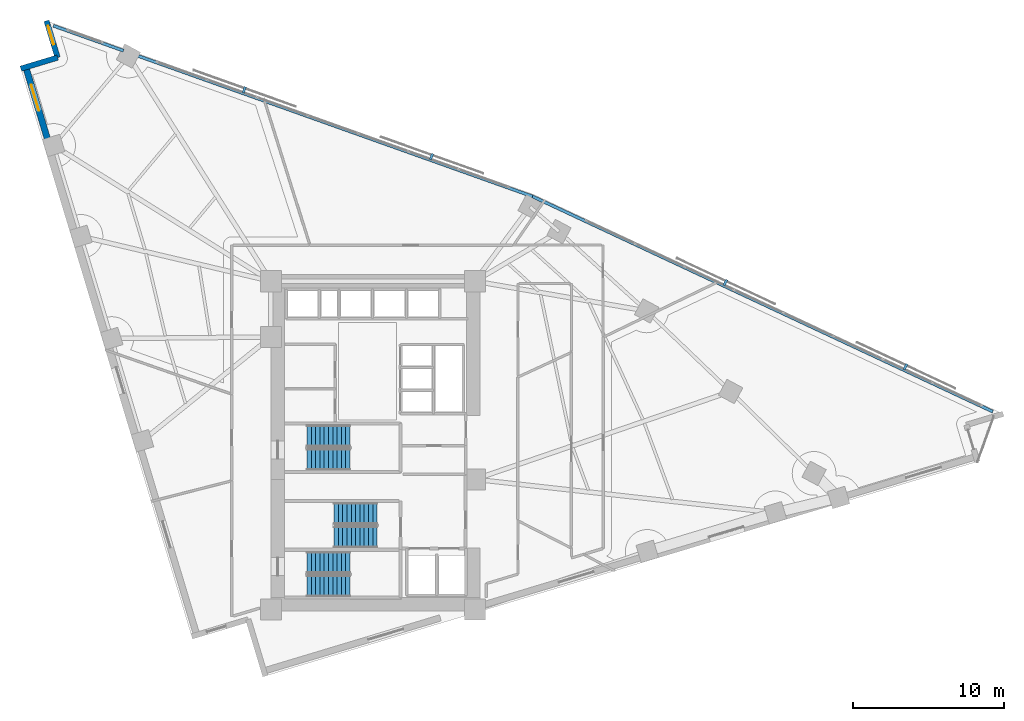
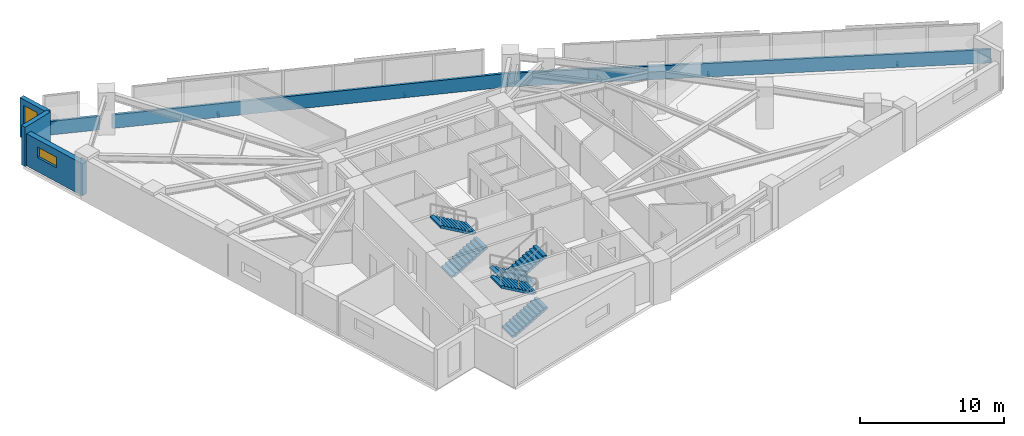
# One storey, part 14 of 16: 6 stair flights, 6 walls, 4 discrete accessories, 2 windows, 2 openings, 3 elements without a shape of their own.
"""IFC4 building model written with IfcOpenShell, lengths in metres."""

import ifcopenshell
import ifcopenshell.guid

model = None  # the IFC model being written
_history = None  # IfcOwnerHistory: only IFC2X3 demands one
_inside = {}  # id of a spatial element -> (the spatial element, [elements in it])
_under = {}  # id of a project, library or spatial element -> (it, [spatial elements below it])
_declared = {}  # id of a project -> (the project, [libraries it declares])
_typed = {}  # id of a type object -> (the type object, [elements of that type])
_made_of = {}  # id of a material, layer set ... -> (it, [elements and type objects made of it])


def new_model(schema):
    """Start an empty IFC model of exactly this schema.

    Asked for "IFC4X3", IfcOpenShell would pick the latest addendum, in which some entities
    have other attributes; the version numbers below select the first issue.
    IFC2X3 requires an IfcOwnerHistory on every rooted entity: one is made here for all.
    """
    global model, _history
    if schema == "IFC4X3":
        model = ifcopenshell.file(schema_version=(4, 3, 0, 0))
    else:
        model = ifcopenshell.file(schema=schema)
    _inside.clear()
    _under.clear()
    _declared.clear()
    _typed.clear()
    _made_of.clear()
    _history = None
    if model.schema == "IFC2X3":
        org = make("IfcOrganization", Name="unknown")
        user = make(
            "IfcPersonAndOrganization",
            ThePerson=make("IfcPerson", FamilyName="unknown"),
            TheOrganization=org,
        )
        app = make(
            "IfcApplication",
            ApplicationDeveloper=org,
            Version="unknown",
            ApplicationFullName="unknown",
            ApplicationIdentifier="unknown",
        )
        _history = make(
            "IfcOwnerHistory",
            OwningUser=user,
            OwningApplication=app,
            ChangeAction="ADDED",
            CreationDate=0,
        )
    return model


def make(cls, **values):
    """One entity of the class cls with the attributes given. An attribute that is None is left unset."""
    return model.create_entity(
        cls, **{name: value for name, value in values.items() if value is not None}
    )


def rooted(cls, **values):
    """An entity with a GlobalId (a new one), such as an element, a storey or a relation."""
    return make(cls, GlobalId=ifcopenshell.guid.new(), OwnerHistory=_history, **values)


def si_unit(unit_type, name, prefix=None):
    """IfcSIUnit, for example si_unit("LENGTHUNIT", "METRE", prefix="MILLI")."""
    return make("IfcSIUnit", UnitType=unit_type, Prefix=prefix, Name=name)


def assignment(units):
    """IfcUnitAssignment: the units of a project."""
    return None if units is None else make("IfcUnitAssignment", Units=units)


def point(xyz):
    """IfcCartesianPoint."""
    return None if xyz is None else make("IfcCartesianPoint", Coordinates=xyz)


def direction(xyz):
    """IfcDirection."""
    return None if xyz is None else make("IfcDirection", DirectionRatios=xyz)


def frame(location, z_axis=None, x_axis=None):
    """IfcAxis2Placement3D, a coordinate frame: its origin and axes. An axis left out is left unset."""
    return make(
        "IfcAxis2Placement3D",
        Location=point(location),
        Axis=direction(z_axis),
        RefDirection=direction(x_axis),
    )


def frame_2d(location, x_axis=None):
    """IfcAxis2Placement2D, a coordinate frame in the plane: its origin and x axis."""
    return make(
        "IfcAxis2Placement2D", Location=point(location), RefDirection=direction(x_axis)
    )


def origin():
    """The frame at (0, 0, 0) with its axes left unset."""
    return frame((0.0, 0.0, 0.0))


def origin_2d():
    """The frame at (0, 0) in the plane with its x axis left unset."""
    return frame_2d((0.0, 0.0))


def place(relative_to, where):
    """IfcLocalPlacement: puts the frame where relative to a parent placement (None: the world)."""
    return make(
        "IfcLocalPlacement", PlacementRelTo=relative_to, RelativePlacement=where
    )


def context(
    kind, dimensions, precision=None, world=None, true_north=None, identifier=None
):
    """IfcGeometricRepresentationContext, for example the 3D "Model" context."""
    return make(
        "IfcGeometricRepresentationContext",
        ContextIdentifier=identifier,
        ContextType=kind,
        CoordinateSpaceDimension=dimensions,
        Precision=precision,
        WorldCoordinateSystem=world,
        TrueNorth=true_north,
    )


def subcontext(parent, identifier, kind, view, scale=None):
    """IfcGeometricRepresentationSubContext, for example "Body" below "Model"."""
    return make(
        "IfcGeometricRepresentationSubContext",
        ContextIdentifier=identifier,
        ContextType=kind,
        ParentContext=parent,
        TargetScale=scale,
        TargetView=view,
    )


def project(units=None, contexts=None):
    """IfcProject with its units and contexts."""
    return rooted(
        "IfcProject",
        Name="project",
        RepresentationContexts=contexts,
        UnitsInContext=assignment(units),
    )


def spatial(cls, under=None, at=None, **own):
    """A site, building, storey or space (cls), placed at a placement, below another one or the project."""
    s = rooted(cls, ObjectPlacement=at, **own)
    if under is not None:
        _under.setdefault(under.id(), (under, []))[1].append(s)
    return s


def polyline(points):
    """IfcPolyline through the points."""
    return make("IfcPolyline", Points=[point(p) for p in points])


def profile(cls, at=None, kind="AREA", **sizes):
    """A parametric profile (cls). Its sizes go by their IFC names, for example OverallWidth=200.0."""
    return make(cls, ProfileType=kind, Position=at, **sizes)


def rectangle(**sizes):
    """IfcRectangleProfileDef."""
    return profile("IfcRectangleProfileDef", **sizes)


def outline(outer, holes=None, kind="AREA"):
    """IfcArbitraryClosedProfileDef: a profile drawn as a closed curve; with holes, ...WithVoids."""
    if holes is None:
        return make("IfcArbitraryClosedProfileDef", ProfileType=kind, OuterCurve=outer)
    return make(
        "IfcArbitraryProfileDefWithVoids",
        ProfileType=kind,
        OuterCurve=outer,
        InnerCurves=holes,
    )


def extrude(swept, where, along, depth):
    """IfcExtrudedAreaSolid: the profile swept, set in the frame where, extruded along a direction by depth."""
    return make(
        "IfcExtrudedAreaSolid",
        SweptArea=swept,
        Position=where,
        ExtrudedDirection=direction(along),
        Depth=depth,
    )


def shape(context_of_items, identifier, shape_type, items):
    """IfcShapeRepresentation: the items that make up one representation, for example the "Body"."""
    return make(
        "IfcShapeRepresentation",
        ContextOfItems=context_of_items,
        RepresentationIdentifier=identifier,
        RepresentationType=shape_type,
        Items=items,
    )


def material(Name=None, Category=None):
    """IfcMaterial."""
    return make("IfcMaterial", Name=Name, Category=Category)


def layer(
    of_material, thickness, ventilated=None, Name=None, Category=None, Priority=None
):
    """IfcMaterialLayer: one layer of a wall or slab, of a material (None: an air gap)."""
    return make(
        "IfcMaterialLayer",
        Material=of_material,
        LayerThickness=thickness,
        IsVentilated=ventilated,
        Name=Name,
        Category=Category,
        Priority=Priority,
    )


def layer_set(layers, Name=None):
    """IfcMaterialLayerSet."""
    return make("IfcMaterialLayerSet", MaterialLayers=layers, LayerSetName=Name)


def made_of(thing, what):
    """Note that an element or type object is made of a material, layer set ...; save() writes the relation."""
    if what is not None:
        _made_of.setdefault(what.id(), (what, []))[1].append(thing)
    return thing


def type_object(cls, material=None, **own):
    """A type object (cls), such as IfcWallType, which elements share."""
    return made_of(rooted(cls, **own), material)


def element(
    cls,
    number,
    at=None,
    inside=None,
    cuts=None,
    type_object=None,
    material=None,
    context=None,
    identifier="Body",
    shape_type=None,
    held_by="IfcProductDefinitionShape",
    body=None,
    shapes=None,
    **own,
):
    """One element of the class cls, such as IfcWall. Its Tag is "e" and its number.

    at: its placement. inside: the storey or other place that contains it. cuts: it is an
    opening in that element (IfcRelVoidsElement). A single representation is given by context,
    identifier, shape_type and body (its items); several are given by shapes. held_by: the class
    of the entity that holds the representations. save() writes the other relations.
    """
    e = rooted(cls, Tag="e%d" % number, ObjectPlacement=at, **own)
    if body is not None:
        shapes = [shape(context, identifier, shape_type, body)]
    if shapes is not None:
        e.Representation = make(held_by, Representations=shapes)
    if inside is not None:
        _inside.setdefault(inside.id(), (inside, []))[1].append(e)
    if cuts is not None:
        rooted(
            "IfcRelVoidsElement", RelatingBuildingElement=cuts, RelatedOpeningElement=e
        )
    if type_object is not None:
        _typed.setdefault(type_object.id(), (type_object, []))[1].append(e)
    return made_of(e, material)


def fill(opening, filler):
    """IfcRelFillsElement: the door or window that sits in an opening."""
    return rooted(
        "IfcRelFillsElement",
        RelatingOpeningElement=opening,
        RelatedBuildingElement=filler,
    )


def aggregate(whole, parts):
    """IfcRelAggregates: a whole, such as a stair, and the parts it consists of."""
    return rooted("IfcRelAggregates", RelatingObject=whole, RelatedObjects=parts)


def save(model, path):
    """Write the relations noted so far, then the file.

    IfcRelAggregates (storeys below a building ...), IfcRelContainedInSpatialStructure (elements
    in a storey), IfcRelDefinesByType, IfcRelAssociatesMaterial and IfcRelDeclares: one each for
    every whole, place, type object, material and project.
    """
    for whole, parts in _under.values():
        aggregate(whole, parts)
    for where, things in _inside.values():
        rooted(
            "IfcRelContainedInSpatialStructure",
            RelatedElements=things,
            RelatingStructure=where,
        )
    for kind, things in _typed.values():
        rooted("IfcRelDefinesByType", RelatedObjects=things, RelatingType=kind)
    for what, things in _made_of.values():
        rooted("IfcRelAssociatesMaterial", RelatedObjects=things, RelatingMaterial=what)
    for by, libraries in _declared.values():
        rooted("IfcRelDeclares", RelatingContext=by, RelatedDefinitions=libraries)
    model.write(path)


model = new_model("IFC4")

# Units and contexts
model_context = context("Model", 3, precision=1e-05, world=origin(), true_north=direction((0.0, 1.0)))
body_context = subcontext(model_context, "Body", "Model", "MODEL_VIEW")
ifc_project = project(units=[si_unit("LENGTHUNIT", "METRE"), si_unit("AREAUNIT", "SQUARE_METRE"), si_unit("VOLUMEUNIT", "CUBIC_METRE"), si_unit("PLANEANGLEUNIT", "RADIAN"), si_unit("MASSUNIT", "GRAM", prefix="KILO")], contexts=[model_context])

# Site, building, storey
site_placement = place(None, origin())
site = spatial("IfcSite", under=ifc_project, at=site_placement, CompositionType="ELEMENT")
building_placement = place(site_placement, origin())
building = spatial("IfcBuilding", under=site, at=building_placement, Name="Narakoshi Arena Tower", CompositionType="ELEMENT")
storey_placement = place(building_placement, frame((0.0, 0.0, 146.699951171875)))
storey = spatial("IfcBuildingStorey", under=building, at=storey_placement, Name="L39", CompositionType="ELEMENT", Elevation=146.699951171875)

# Walls
ifc_material_1 = material(Name="Precast concrete C45/55", Category="concrete")
ifc_layer_1 = layer(ifc_material_1, 0.25)
ifc_layer_set_1 = layer_set([ifc_layer_1], Name="Precast concrete C45/55")
wall_type_1 = type_object("IfcWallType", Name="WL-PARA-250", PredefinedType="PARAPET", material=ifc_layer_set_1)
wall_1_placement = place(storey_placement, frame((119.92578125, 47.843017578125, 0.0), z_axis=(0.0, 0.0, 1.0), x_axis=(-0.905880730846, 0.423532881228, 0.0)))
element("IfcWall", 1, at=wall_1_placement, inside=storey, type_object=wall_type_1, Name="L39 Hypotenuse Sill Upstand Parapet 1-01", PredefinedType="PARAPET", context=body_context, shape_type="SweptSolid", body=[
    extrude(rectangle(XDim=33.74755859375, YDim=0.199951171875, at=frame_2d((16.873779296875, 0.0))), origin(), (0.0, 0.0, 1.0), 1.150146484375),
])
wall_2_placement = place(storey_placement, frame((89.368408203125, 62.13037109375, 0.0), z_axis=(0.0, 0.0, 1.0), x_axis=(-0.942033439765, 0.335518998515, 0.0)))
element("IfcWall", 2, at=wall_2_placement, inside=storey, type_object=wall_type_1, Name="L39 Hypotenuse Sill Upstand Parapet 2-01", PredefinedType="PARAPET", context=body_context, shape_type="SweptSolid", body=[
    extrude(rectangle(XDim=27.969482421875, YDim=0.199951171875, at=frame_2d((13.98486328125, 0.0))), origin(), (0.0, 0.0, 1.0), 1.150146484375),
])
wall_3_placement = place(storey_placement, frame((62.2177734375, 71.800537109375, 0.0), z_axis=(0.0, 0.0, 1.0), x_axis=(-0.942038862895, 0.335503771655, 0.0)))
element("IfcWall", 3, at=wall_3_placement, inside=storey, type_object=wall_type_1, Name="L39 Hypotenuse Sill Upstand Parapet 2-02", PredefinedType="PARAPET", context=body_context, shape_type="SweptSolid", body=[
    extrude(rectangle(XDim=4.941650390625, YDim=0.199951171875, at=frame_2d((2.470703125, 0.0))), origin(), (0.0, 0.0, 1.0), 1.150146484375),
])

# Wall, opening, window
ifc_layer_2 = layer(ifc_material_1, 0.419921875)
ifc_layer_set_2 = layer_set([ifc_layer_2], Name="Precast concrete C45/55")
wall_type_2 = type_object("IfcWallType", Name="WL-POD-420", PredefinedType="SOLIDWALL", material=ifc_layer_set_2)
wall_4_placement = place(storey_placement, frame((55.734130859375, 70.71142578125, 0.0), z_axis=(0.0, 0.0, 1.0), x_axis=(0.288221590884, -0.957563739157, 0.0)))
wall_4 = element("IfcWall", 4, at=wall_4_placement, inside=storey, type_object=wall_type_2, Name="L39 Architectural Concrete Facade Wall LEGB-1", PredefinedType="SOLIDWALL", context=body_context, shape_type="SweptSolid", body=[
    extrude(rectangle(XDim=5.510986328125, YDim=0.419921875, at=frame_2d((2.75537109375, 0.0))), origin(), (0.0, 0.0, 1.0), 2.72509765625),
])
opening_1_placement = place(wall_4_placement, frame((1.223388671875, 0.0, 1.199951171875)))
opening_1 = element("IfcOpeningElement", 5, at=opening_1_placement, cuts=wall_4, Name="Opening WN-02", PredefinedType="OPENING", context=body_context, shape_type="SweptSolid", body=[
    extrude(rectangle(XDim=1.800048828125, YDim=0.89990234375, at=frame_2d((0.89990234375, 0.449951171875))), frame((0.0, 0.219970703125, 0.0), z_axis=(0.0, -1.0, 0.0), x_axis=(1.0, 0.0, 0.0)), (0.0, 0.0, 1.0), 0.43994140625),
])
ifc_material_2 = material(Name="Bronze-tinted low-E laminated glass", Category="glass")
window_type_1 = type_object("IfcWindowType", Name="WIN-SLT-18x09", PartitioningType="SINGLE_PANEL", PredefinedType="WINDOW", material=ifc_material_2)
window_1_placement = place(opening_1_placement, origin())
window_1 = element("IfcWindow", 6, at=window_1_placement, inside=storey, type_object=window_type_1, Name="L39 LEGB1 Horizontal Slot Window 1", OverallHeight=0.89990234375, OverallWidth=1.800048828125, PartitioningType="SINGLE_PANEL", PredefinedType="WINDOW", context=body_context, shape_type="SweptSolid", body=[
    extrude(rectangle(XDim=1.800048828125, YDim=0.89990234375, at=frame_2d((0.89990234375, 0.449951171875))), frame((0.0, 0.030029296875, 0.0), z_axis=(0.0, -1.0, 0.0), x_axis=(1.0, 0.0, 0.0)), (0.0, 0.0, 1.0), 0.06005859375),
])
fill(opening_1, window_1)

wall_5_placement = place(storey_placement, frame((57.107666015625, 73.790283203125, 0.0), z_axis=(0.0, 0.0, 1.0), x_axis=(0.288198985694, -0.957570542908, 0.0)))
wall_5 = element("IfcWall", 7, at=wall_5_placement, inside=storey, type_object=wall_type_2, Name="L39 Re-Entrant Corner Notch Wall NTN-1", PredefinedType="SOLIDWALL", context=body_context, shape_type="SweptSolid", body=[
    extrude(rectangle(XDim=2.552490234375, YDim=0.360107421875, at=frame_2d((1.2763671875, 0.0))), origin(), (0.0, 0.0, 1.0), 3.340087890625),
])
opening_2_placement = place(wall_5_placement, frame((0.340087890625, 0.0, 0.449951171875)))
opening_2 = element("IfcOpeningElement", 8, at=opening_2_placement, cuts=wall_5, Name="Opening WN-06", PredefinedType="OPENING", context=body_context, shape_type="SweptSolid", body=[
    extrude(rectangle(XDim=1.300048828125, YDim=2.39990234375, at=frame_2d((0.64990234375, 1.199951171875))), frame((0.0, 0.18994140625, 0.0), z_axis=(0.0, -1.0, 0.0), x_axis=(1.0, 0.0, 0.0)), (0.0, 0.0, 1.0), 0.380126953125),
])
window_type_2 = type_object("IfcWindowType", Name="WIN-NTC-16x24", PartitioningType="SINGLE_PANEL", PredefinedType="WINDOW", material=ifc_material_2)
window_2_placement = place(opening_2_placement, origin())
window_2 = element("IfcWindow", 9, at=window_2_placement, inside=storey, type_object=window_type_2, Name="L39 Corner Notch Window NTN", OverallHeight=2.39990234375, OverallWidth=1.300048828125, PartitioningType="SINGLE_PANEL", PredefinedType="WINDOW", context=body_context, shape_type="SweptSolid", body=[
    extrude(rectangle(XDim=1.300048828125, YDim=2.39990234375, at=frame_2d((0.64990234375, 1.199951171875))), frame((0.0, 0.030029296875, 0.0), z_axis=(0.0, -1.0, 0.0), x_axis=(1.0, 0.0, 0.0)), (0.0, 0.0, 1.0), 0.06005859375),
])
fill(opening_2, window_2)

# Wall
wall_6_placement = place(storey_placement, frame((57.84326171875, 71.34619140625, 0.0), z_axis=(0.0, 0.0, 1.0), x_axis=(-0.95757848653, -0.288172590882, 0.0)))
element("IfcWall", 10, at=wall_6_placement, inside=storey, type_object=wall_type_2, Name="L39 Re-Entrant Corner Notch Wall NTN-2", PredefinedType="SOLIDWALL", context=body_context, shape_type="SweptSolid", body=[
    extrude(rectangle(XDim=2.552734375, YDim=0.360107421875, at=frame_2d((1.2763671875, 0.0))), origin(), (0.0, 0.0, 1.0), 3.340087890625),
])

# Stair, stair flights
ifc_material_3 = material(Name="Concrete C45/55", Category="concrete")
stair_type = type_object("IfcStairType", Name="STR-CORE-360", PredefinedType="TWO_STRAIGHT_RUN_STAIR", material=ifc_material_3)
stair_1_placement = place(storey_placement, origin())
stair_1 = element("IfcStair", 11, at=stair_1_placement, inside=storey, type_object=stair_type, Name="L39 Core Escape Stair ST1", PredefinedType="TWO_STRAIGHT_RUN_STAIR")
stair_flight_type = type_object("IfcStairFlightType", Name="FLT-145-160", PredefinedType="STRAIGHT", material=ifc_material_1)
stair_flight_1_placement = place(storey_placement, frame((74.39990234375, 36.27490234375, 0.0), z_axis=(0.0, 0.0, 1.0), x_axis=(1.0, 0.0, 0.0)))
stair_flight_1 = element("IfcStairFlight", 12, at=stair_flight_1_placement, type_object=stair_flight_type, Name="ST1 flight 1", NumberOfRisers=11, NumberOfTreads=10, PredefinedType="STRAIGHT", RiserHeight=0.163636364, TreadLength=0.285, context=body_context, shape_type="SweptSolid", body=[
    extrude(outline(polyline([(0.0, 0.0), (0.0, 0.16357421875), (0.284912109375, 0.16357421875), (0.284912109375, 0.327392578125), (0.570068359375, 0.327392578125), (0.570068359375, 0.490966796875), (0.85498046875, 0.490966796875), (0.85498046875, 0.654541015625), (1.139892578125, 0.654541015625), (1.139892578125, 0.818115234375), (1.425048828125, 0.818115234375), (1.425048828125, 0.98193359375), (1.7099609375, 0.98193359375), (1.7099609375, 1.1455078125), (1.9951171875, 1.1455078125), (1.9951171875, 1.30908203125), (2.280029296875, 1.30908203125), (2.280029296875, 1.47265625), (2.56494140625, 1.47265625), (2.56494140625, 1.636474609375), (2.85009765625, 1.636474609375), (2.85009765625, 1.800048828125), (2.85009765625, 1.463623046875), (0.301025390625, 0.0), (0.0, 0.0)])), frame((0.0, 0.72509765625, 0.0), z_axis=(0.0, -1.0, 0.0), x_axis=(1.0, 0.0, 0.0)), (0.0, 0.0, 1.0), 1.449951171875),
])
stair_flight_2_placement = place(storey_placement, frame((77.25, 37.824951171875, 1.800048828125), z_axis=(0.0, 0.0, 1.0), x_axis=(-1.0, 0.0, 0.0)))
stair_flight_2 = element("IfcStairFlight", 13, at=stair_flight_2_placement, type_object=stair_flight_type, Name="ST1 flight 2", NumberOfRisers=11, NumberOfTreads=10, PredefinedType="STRAIGHT", RiserHeight=0.163636364, TreadLength=0.285, context=body_context, shape_type="SweptSolid", body=[
    extrude(outline(polyline([(0.0, 0.0), (0.0, 0.16357421875), (0.284912109375, 0.16357421875), (0.284912109375, 0.327392578125), (0.570068359375, 0.327392578125), (0.570068359375, 0.490966796875), (0.85498046875, 0.490966796875), (0.85498046875, 0.654541015625), (1.139892578125, 0.654541015625), (1.139892578125, 0.818115234375), (1.425048828125, 0.818115234375), (1.425048828125, 0.98193359375), (1.7099609375, 0.98193359375), (1.7099609375, 1.1455078125), (1.9951171875, 1.1455078125), (1.9951171875, 1.30908203125), (2.280029296875, 1.30908203125), (2.280029296875, 1.47265625), (2.56494140625, 1.47265625), (2.56494140625, 1.636474609375), (2.85009765625, 1.636474609375), (2.85009765625, 1.800048828125), (2.85009765625, 1.463623046875), (0.301025390625, 0.0), (0.0, 0.0)])), frame((0.0, 0.72509765625, 0.0), z_axis=(0.0, -1.0, 0.0), x_axis=(1.0, 0.0, 0.0)), (0.0, 0.0, 1.0), 1.449951171875),
])
aggregate(stair_1, [stair_flight_1, stair_flight_2])

stair_2_placement = place(storey_placement, origin())
stair_2 = element("IfcStair", 14, at=stair_2_placement, inside=storey, type_object=stair_type, Name="L39 Core Escape Stair ST2", PredefinedType="TWO_STRAIGHT_RUN_STAIR")
stair_flight_3_placement = place(storey_placement, frame((79.050048828125, 41.074951171875, 0.0), z_axis=(0.0, 0.0, 1.0), x_axis=(-1.0, 0.0, 0.0)))
stair_flight_3 = element("IfcStairFlight", 15, at=stair_flight_3_placement, type_object=stair_flight_type, Name="ST2 flight 1", NumberOfRisers=11, NumberOfTreads=10, PredefinedType="STRAIGHT", RiserHeight=0.163636364, TreadLength=0.285, context=body_context, shape_type="SweptSolid", body=[
    extrude(outline(polyline([(0.0, 0.0), (0.0, 0.16357421875), (0.284912109375, 0.16357421875), (0.284912109375, 0.327392578125), (0.570068359375, 0.327392578125), (0.570068359375, 0.490966796875), (0.85498046875, 0.490966796875), (0.85498046875, 0.654541015625), (1.139892578125, 0.654541015625), (1.139892578125, 0.818115234375), (1.425048828125, 0.818115234375), (1.425048828125, 0.98193359375), (1.7099609375, 0.98193359375), (1.7099609375, 1.1455078125), (1.9951171875, 1.1455078125), (1.9951171875, 1.30908203125), (2.280029296875, 1.30908203125), (2.280029296875, 1.47265625), (2.56494140625, 1.47265625), (2.56494140625, 1.636474609375), (2.85009765625, 1.636474609375), (2.85009765625, 1.800048828125), (2.85009765625, 1.463623046875), (0.301025390625, 0.0), (0.0, 0.0)])), frame((0.0, 0.72509765625, 0.0), z_axis=(0.0, -1.0, 0.0), x_axis=(1.0, 0.0, 0.0)), (0.0, 0.0, 1.0), 1.449951171875),
])
stair_flight_4_placement = place(storey_placement, frame((76.199951171875, 39.52490234375, 1.800048828125), z_axis=(0.0, 0.0, 1.0), x_axis=(1.0, 0.0, 0.0)))
stair_flight_4 = element("IfcStairFlight", 16, at=stair_flight_4_placement, type_object=stair_flight_type, Name="ST2 flight 2", NumberOfRisers=11, NumberOfTreads=10, PredefinedType="STRAIGHT", RiserHeight=0.163636364, TreadLength=0.285, context=body_context, shape_type="SweptSolid", body=[
    extrude(outline(polyline([(0.0, 0.0), (0.0, 0.16357421875), (0.284912109375, 0.16357421875), (0.284912109375, 0.327392578125), (0.570068359375, 0.327392578125), (0.570068359375, 0.490966796875), (0.85498046875, 0.490966796875), (0.85498046875, 0.654541015625), (1.139892578125, 0.654541015625), (1.139892578125, 0.818115234375), (1.425048828125, 0.818115234375), (1.425048828125, 0.98193359375), (1.7099609375, 0.98193359375), (1.7099609375, 1.1455078125), (1.9951171875, 1.1455078125), (1.9951171875, 1.30908203125), (2.280029296875, 1.30908203125), (2.280029296875, 1.47265625), (2.56494140625, 1.47265625), (2.56494140625, 1.636474609375), (2.85009765625, 1.636474609375), (2.85009765625, 1.800048828125), (2.85009765625, 1.463623046875), (0.301025390625, 0.0), (0.0, 0.0)])), frame((0.0, 0.72509765625, 0.0), z_axis=(0.0, -1.0, 0.0), x_axis=(1.0, 0.0, 0.0)), (0.0, 0.0, 1.0), 1.449951171875),
])
aggregate(stair_2, [stair_flight_3, stair_flight_4])

stair_3_placement = place(storey_placement, origin())
stair_3 = element("IfcStair", 17, at=stair_3_placement, inside=storey, type_object=stair_type, Name="L39 Core Escape Stair ST3", PredefinedType="TWO_STRAIGHT_RUN_STAIR")
stair_flight_5_placement = place(storey_placement, frame((74.39990234375, 44.675048828125, 0.0), z_axis=(0.0, 0.0, 1.0), x_axis=(1.0, 0.0, 0.0)))
stair_flight_5 = element("IfcStairFlight", 18, at=stair_flight_5_placement, type_object=stair_flight_type, Name="ST3 flight 1", NumberOfRisers=11, NumberOfTreads=10, PredefinedType="STRAIGHT", RiserHeight=0.163636364, TreadLength=0.285, context=body_context, shape_type="SweptSolid", body=[
    extrude(outline(polyline([(0.0, 0.0), (0.0, 0.16357421875), (0.284912109375, 0.16357421875), (0.284912109375, 0.327392578125), (0.570068359375, 0.327392578125), (0.570068359375, 0.490966796875), (0.85498046875, 0.490966796875), (0.85498046875, 0.654541015625), (1.139892578125, 0.654541015625), (1.139892578125, 0.818115234375), (1.425048828125, 0.818115234375), (1.425048828125, 0.98193359375), (1.7099609375, 0.98193359375), (1.7099609375, 1.1455078125), (1.9951171875, 1.1455078125), (1.9951171875, 1.30908203125), (2.280029296875, 1.30908203125), (2.280029296875, 1.47265625), (2.56494140625, 1.47265625), (2.56494140625, 1.636474609375), (2.85009765625, 1.636474609375), (2.85009765625, 1.800048828125), (2.85009765625, 1.463623046875), (0.301025390625, 0.0), (0.0, 0.0)])), frame((0.0, 0.72509765625, 0.0), z_axis=(0.0, -1.0, 0.0), x_axis=(1.0, 0.0, 0.0)), (0.0, 0.0, 1.0), 1.449951171875),
])
stair_flight_6_placement = place(storey_placement, frame((77.25, 46.22509765625, 1.800048828125), z_axis=(0.0, 0.0, 1.0), x_axis=(-1.0, 0.0, 0.0)))
stair_flight_6 = element("IfcStairFlight", 19, at=stair_flight_6_placement, type_object=stair_flight_type, Name="ST3 flight 2", NumberOfRisers=11, NumberOfTreads=10, PredefinedType="STRAIGHT", RiserHeight=0.163636364, TreadLength=0.285, context=body_context, shape_type="SweptSolid", body=[
    extrude(outline(polyline([(0.0, 0.0), (0.0, 0.16357421875), (0.284912109375, 0.16357421875), (0.284912109375, 0.327392578125), (0.570068359375, 0.327392578125), (0.570068359375, 0.490966796875), (0.85498046875, 0.490966796875), (0.85498046875, 0.654541015625), (1.139892578125, 0.654541015625), (1.139892578125, 0.818115234375), (1.425048828125, 0.818115234375), (1.425048828125, 0.98193359375), (1.7099609375, 0.98193359375), (1.7099609375, 1.1455078125), (1.9951171875, 1.1455078125), (1.9951171875, 1.30908203125), (2.280029296875, 1.30908203125), (2.280029296875, 1.47265625), (2.56494140625, 1.47265625), (2.56494140625, 1.636474609375), (2.85009765625, 1.636474609375), (2.85009765625, 1.800048828125), (2.85009765625, 1.463623046875), (0.301025390625, 0.0), (0.0, 0.0)])), frame((0.0, 0.72509765625, 0.0), z_axis=(0.0, -1.0, 0.0), x_axis=(1.0, 0.0, 0.0)), (0.0, 0.0, 1.0), 1.449951171875),
])
aggregate(stair_3, [stair_flight_5, stair_flight_6])

# Discrete accessories
ifc_material_4 = material(Name="Structural steel S355J2", Category="steel")
discrete_accessory_type = type_object("IfcDiscreteAccessoryType", Name="ACC-BRK-SCR", PredefinedType="BRACKET", material=ifc_material_4)
for number, where, z_axis, x_axis, name in (
    (20, (114.129150390625, 50.818115234375, -0.080078125), (0.0, 0.0, 1.0), (-0.9058795101, 0.423535492234, 0.0), "L39 Solar Screen Support Bracket SHD-L39-SCR1-1"),
    (21, (102.17138671875, 56.40869140625, -0.080078125), (0.0, 0.0, 1.0), (-0.9058795101, 0.423535492234, 0.0), "L39 Solar Screen Support Bracket SHD-L39-SCR1-2"),
    (22, (82.66650390625, 64.772216796875, -0.080078125), (0.0, 0.0, 1.0), (-0.942034031554, 0.33551733695, 0.0), "L39 Solar Screen Support Bracket SHD-L39-SCR2-1"),
    (23, (70.231689453125, 69.200927734375, -0.080078125), (0.0, 0.0, 1.0), (-0.942034031554, 0.33551733695, 0.0), "L39 Solar Screen Support Bracket SHD-L39-SCR2-2"),
):
    element("IfcDiscreteAccessory", number, at=place(storey_placement, frame(where, z_axis=z_axis, x_axis=x_axis)), inside=storey, type_object=discrete_accessory_type, Name=name, PredefinedType="BRACKET", context=body_context, shape_type="SweptSolid", body=[
        extrude(rectangle(XDim=0.159912109375, YDim=0.425048828125, at=origin_2d()), origin(), (0.0, 0.0, 1.0), 0.199951171875),
    ])

save(model, "model.ifc")
